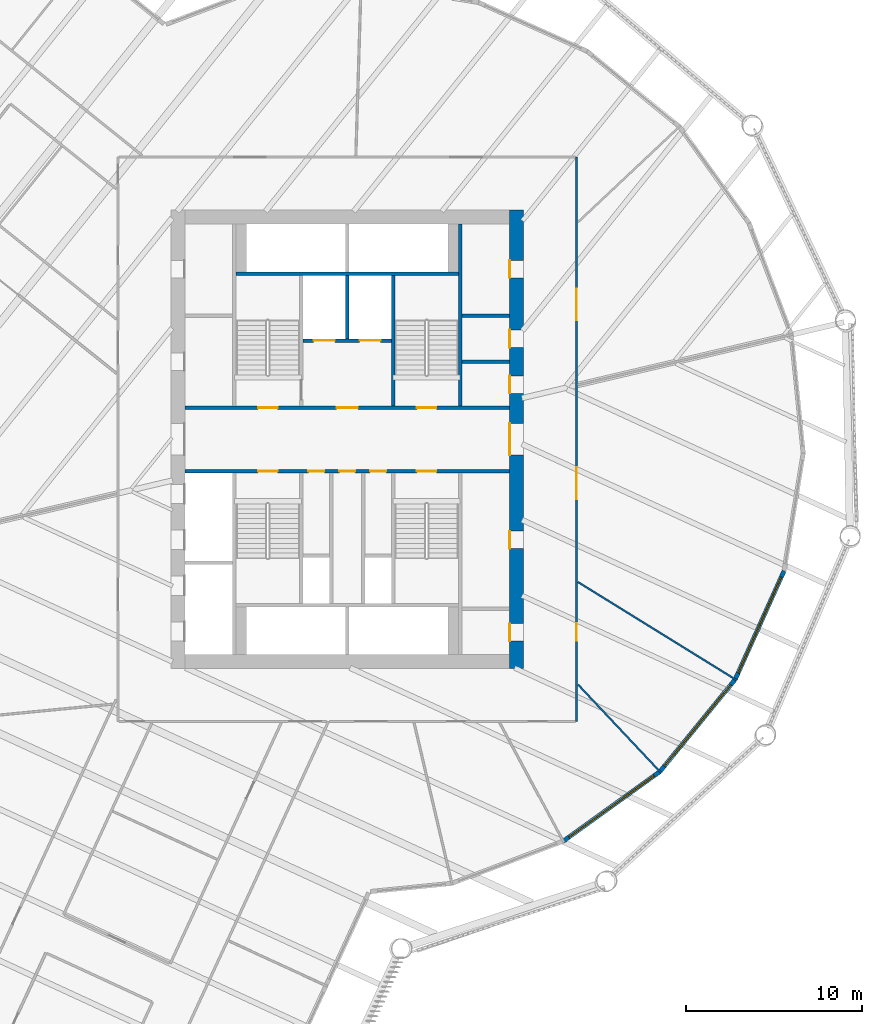
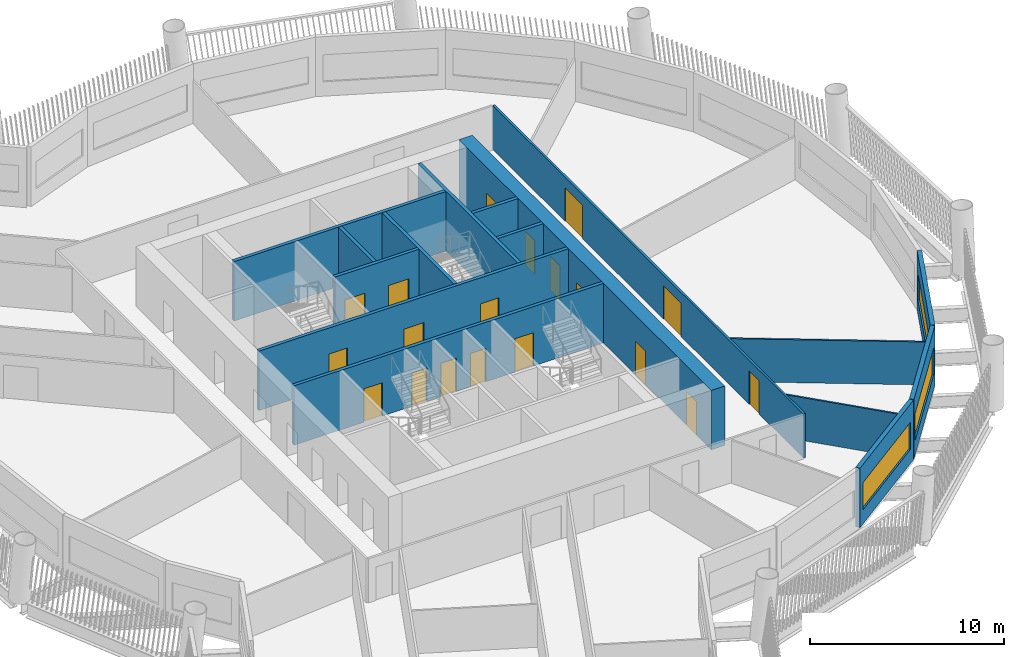
# One storey, part 5 of 16: 19 doors, 16 walls, 3 windows, 22 openings.
"""IFC4 building model written with IfcOpenShell, lengths in metres."""

from ifc_helpers import new_model, si_unit, direction, frame, frame_2d, origin, place, context, subcontext, project, spatial, rectangle, extrude, material, layer, layer_set, type_object, element, fill, save


model = new_model("IFC4")

# Units and contexts
model_context = context("Model", 3, precision=1e-05, world=origin(), true_north=direction((0.0, 1.0)))
body_context = subcontext(model_context, "Body", "Model", "MODEL_VIEW")
ifc_project = project(units=[si_unit("LENGTHUNIT", "METRE"), si_unit("AREAUNIT", "SQUARE_METRE"), si_unit("VOLUMEUNIT", "CUBIC_METRE"), si_unit("PLANEANGLEUNIT", "RADIAN"), si_unit("MASSUNIT", "GRAM", prefix="KILO")], contexts=[model_context])

# Site, building, storey
site_placement = place(None, origin())
site = spatial("IfcSite", under=ifc_project, at=site_placement, CompositionType="ELEMENT")
building_placement = place(site_placement, origin())
building = spatial("IfcBuilding", under=site, at=building_placement, Name="Tarsis Ring Headquarters", CompositionType="ELEMENT")
storey_placement = place(building_placement, frame((0.0, 0.0, 112.300048828125)))
storey = spatial("IfcBuildingStorey", under=building, at=storey_placement, Name="L25", CompositionType="ELEMENT", Elevation=112.300048828125)

# Walls
ifc_material_1 = material(Name="Blockwork", Category="masonry")
ifc_layer_1 = layer(ifc_material_1, 0.199951171875)
ifc_layer_set_1 = layer_set([ifc_layer_1], Name="Core blockwork wall 200")
wall_type_1 = type_object("IfcWallType", Name="Core blockwork wall 200", PredefinedType="PARTITIONING", material=ifc_layer_set_1)
for number, where, z_axis, x_axis, name in (
    (1, (6.5, 4.39990234375, 0.0), (0.0, 0.0, 1.0), (1.0, 0.0, 0.0), "Core partition ED5"),
    (2, (6.5, 7.0, 0.0), (0.0, 0.0, 1.0), (1.0, 0.0, 0.0), "Core partition ED6"),
):
    element("IfcWall", number, at=place(storey_placement, frame(where, z_axis=z_axis, x_axis=x_axis)), inside=storey, type_object=wall_type_1, Name=name, PredefinedType="PARTITIONING", context=body_context, shape_type="SweptSolid", body=[
        extrude(rectangle(XDim=2.699951171875, YDim=0.199951171875, at=frame_2d((1.35009765625, 0.0))), origin(), (0.0, 0.0, 1.0), 3.739990234375),
    ])

# Wall, openings, doors
ifc_material_2 = material(Name="Concrete C60/75", Category="concrete")
ifc_layer_2 = layer(ifc_material_2, 0.800048828125)
ifc_layer_set_2 = layer_set([ifc_layer_2], Name="Core wall 800 C60/75")
wall_type_2 = type_object("IfcWallType", Name="Core wall 800 C60/75", PredefinedType="SHEAR", material=ifc_layer_set_2)
wall_1_placement = place(storey_placement, frame((9.60009765625, -13.0, 0.0), z_axis=(0.0, 0.0, 1.0), x_axis=(0.0, 1.0, 0.0)))
wall_1 = element("IfcWall", 3, at=wall_1_placement, inside=storey, type_object=wall_type_2, Name="Core wall OE", PredefinedType="SHEAR", context=body_context, shape_type="SweptSolid", body=[
    extrude(rectangle(XDim=26.0, YDim=0.800048828125, at=frame_2d((13.0, 0.0))), origin(), (0.0, 0.0, 1.0), 3.739990234375),
])
opening_1_placement = place(wall_1_placement, frame((1.550048828125, 0.0, 0.0)))
opening_1 = element("IfcOpeningElement", 4, at=opening_1_placement, cuts=wall_1, Name="Opening L25-C08", PredefinedType="OPENING", context=body_context, shape_type="SweptSolid", body=[
    extrude(rectangle(XDim=1.0, YDim=2.10009765625, at=frame_2d((0.5, 1.050048828125))), frame((0.0, 0.409912109375, 0.0), z_axis=(0.0, -1.0, 0.0), x_axis=(1.0, 0.0, 0.0)), (0.0, 0.0, 1.0), 0.820068359375),
])
opening_2_placement = place(wall_1_placement, frame((6.800048828125, 0.0, 0.0)))
opening_2 = element("IfcOpeningElement", 5, at=opening_2_placement, cuts=wall_1, Name="Opening L25-C09", PredefinedType="OPENING", context=body_context, shape_type="SweptSolid", body=[
    extrude(rectangle(XDim=1.0, YDim=2.10009765625, at=frame_2d((0.5, 1.050048828125))), frame((0.0, 0.409912109375, 0.0), z_axis=(0.0, -1.0, 0.0), x_axis=(1.0, 0.0, 0.0)), (0.0, 0.0, 1.0), 0.820068359375),
])
opening_3_placement = place(wall_1_placement, frame((12.10009765625, 0.0, 0.0)))
opening_3 = element("IfcOpeningElement", 6, at=opening_3_placement, cuts=wall_1, Name="Opening L25-C10", PredefinedType="OPENING", context=body_context, shape_type="SweptSolid", body=[
    extrude(rectangle(XDim=1.800048828125, YDim=2.10009765625, at=frame_2d((0.89990234375, 1.050048828125))), frame((0.0, 0.409912109375, 0.0), z_axis=(0.0, -1.0, 0.0), x_axis=(1.0, 0.0, 0.0)), (0.0, 0.0, 1.0), 0.820068359375),
])
opening_4_placement = place(wall_1_placement, frame((15.60009765625, 0.0, 0.0)))
opening_4 = element("IfcOpeningElement", 7, at=opening_4_placement, cuts=wall_1, Name="Opening L25-C11", PredefinedType="OPENING", context=body_context, shape_type="SweptSolid", body=[
    extrude(rectangle(XDim=1.0, YDim=2.10009765625, at=frame_2d((0.5, 1.050048828125))), frame((0.0, 0.409912109375, 0.0), z_axis=(0.0, -1.0, 0.0), x_axis=(1.0, 0.0, 0.0)), (0.0, 0.0, 1.0), 0.820068359375),
])
opening_5_placement = place(wall_1_placement, frame((18.199951171875, 0.0, 0.0)))
opening_5 = element("IfcOpeningElement", 8, at=opening_5_placement, cuts=wall_1, Name="Opening L25-C12", PredefinedType="OPENING", context=body_context, shape_type="SweptSolid", body=[
    extrude(rectangle(XDim=1.0, YDim=2.10009765625, at=frame_2d((0.5, 1.050048828125))), frame((0.0, 0.409912109375, 0.0), z_axis=(0.0, -1.0, 0.0), x_axis=(1.0, 0.0, 0.0)), (0.0, 0.0, 1.0), 0.820068359375),
])
opening_6_placement = place(wall_1_placement, frame((22.14990234375, 0.0, 0.0)))
opening_6 = element("IfcOpeningElement", 9, at=opening_6_placement, cuts=wall_1, Name="Opening L25-C13", PredefinedType="OPENING", context=body_context, shape_type="SweptSolid", body=[
    extrude(rectangle(XDim=1.0, YDim=2.10009765625, at=frame_2d((0.5, 1.050048828125))), frame((0.0, 0.409912109375, 0.0), z_axis=(0.0, -1.0, 0.0), x_axis=(1.0, 0.0, 0.0)), (0.0, 0.0, 1.0), 0.820068359375),
])
ifc_material_3 = material(Name="Steel S355", Category="steel")
door_type_1 = type_object("IfcDoorType", Name="Core entry door 1800x2100", OperationType="DOUBLE_DOOR_SINGLE_SWING", PredefinedType="DOOR", material=ifc_material_3)
door_1_placement = place(opening_3_placement, origin())
door_1 = element("IfcDoor", 10, at=door_1_placement, inside=storey, type_object=door_type_1, Name="Core entry door L25", OperationType="DOUBLE_DOOR_SINGLE_SWING", OverallHeight=2.10009765625, OverallWidth=1.800048828125, PredefinedType="DOOR", context=body_context, shape_type="SweptSolid", body=[
    extrude(rectangle(XDim=1.800048828125, YDim=2.10009765625, at=frame_2d((0.89990234375, 1.050048828125))), frame((0.0, 0.39990234375, 0.0), z_axis=(0.0, -1.0, 0.0), x_axis=(1.0, 0.0, 0.0)), (0.0, 0.0, 1.0), 0.050048828125),
])
fill(opening_3, door_1)
door_type_2 = type_object("IfcDoorType", Name="Core room door 1000x2100", OperationType="SINGLE_SWING_LEFT", PredefinedType="DOOR", material=ifc_material_3)
door_2_placement = place(opening_1_placement, origin())
door_2 = element("IfcDoor", 11, at=door_2_placement, inside=storey, type_object=door_type_2, Name="Core room door L25", OperationType="SINGLE_SWING_LEFT", OverallHeight=2.10009765625, OverallWidth=1.0, PredefinedType="DOOR", context=body_context, shape_type="SweptSolid", body=[
    extrude(rectangle(XDim=1.0, YDim=2.10009765625, at=frame_2d((0.5, 1.050048828125))), frame((0.0, 0.39990234375, 0.0), z_axis=(0.0, -1.0, 0.0), x_axis=(1.0, 0.0, 0.0)), (0.0, 0.0, 1.0), 0.050048828125),
])
fill(opening_1, door_2)
door_3_placement = place(opening_2_placement, origin())
door_3 = element("IfcDoor", 12, at=door_3_placement, inside=storey, type_object=door_type_2, Name="Core room door L25", OperationType="SINGLE_SWING_LEFT", OverallHeight=2.10009765625, OverallWidth=1.0, PredefinedType="DOOR", context=body_context, shape_type="SweptSolid", body=[
    extrude(rectangle(XDim=1.0, YDim=2.10009765625, at=frame_2d((0.5, 1.050048828125))), frame((0.0, 0.39990234375, 0.0), z_axis=(0.0, -1.0, 0.0), x_axis=(1.0, 0.0, 0.0)), (0.0, 0.0, 1.0), 0.050048828125),
])
fill(opening_2, door_3)
door_4_placement = place(opening_4_placement, origin())
door_4 = element("IfcDoor", 13, at=door_4_placement, inside=storey, type_object=door_type_2, Name="Core room door L25", OperationType="SINGLE_SWING_LEFT", OverallHeight=2.10009765625, OverallWidth=1.0, PredefinedType="DOOR", context=body_context, shape_type="SweptSolid", body=[
    extrude(rectangle(XDim=1.0, YDim=2.10009765625, at=frame_2d((0.5, 1.050048828125))), frame((0.0, 0.39990234375, 0.0), z_axis=(0.0, -1.0, 0.0), x_axis=(1.0, 0.0, 0.0)), (0.0, 0.0, 1.0), 0.050048828125),
])
fill(opening_4, door_4)
door_5_placement = place(opening_5_placement, origin())
door_5 = element("IfcDoor", 14, at=door_5_placement, inside=storey, type_object=door_type_2, Name="Core room door L25", OperationType="SINGLE_SWING_LEFT", OverallHeight=2.10009765625, OverallWidth=1.0, PredefinedType="DOOR", context=body_context, shape_type="SweptSolid", body=[
    extrude(rectangle(XDim=1.0, YDim=2.10009765625, at=frame_2d((0.5, 1.050048828125))), frame((0.0, 0.39990234375, 0.0), z_axis=(0.0, -1.0, 0.0), x_axis=(1.0, 0.0, 0.0)), (0.0, 0.0, 1.0), 0.050048828125),
])
fill(opening_5, door_5)
door_6_placement = place(opening_6_placement, origin())
door_6 = element("IfcDoor", 15, at=door_6_placement, inside=storey, type_object=door_type_2, Name="Core room door L25", OperationType="SINGLE_SWING_LEFT", OverallHeight=2.10009765625, OverallWidth=1.0, PredefinedType="DOOR", context=body_context, shape_type="SweptSolid", body=[
    extrude(rectangle(XDim=1.0, YDim=2.10009765625, at=frame_2d((0.5, 1.050048828125))), frame((0.0, 0.39990234375, 0.0), z_axis=(0.0, -1.0, 0.0), x_axis=(1.0, 0.0, 0.0)), (0.0, 0.0, 1.0), 0.050048828125),
])
fill(opening_6, door_6)

# Walls
ifc_material_4 = material(Name="Gypsum board on steel studs", Category="steel")
ifc_layer_3 = layer(ifc_material_4, 0.10009765625)
ifc_layer_set_3 = layer_set([ifc_layer_3], Name="FL partition 100 unrated")
wall_type_3 = type_object("IfcWallType", Name="FL partition 100 unrated", PredefinedType="PARTITIONING", material=ifc_layer_set_3)
wall_2_placement = place(storey_placement, frame((13.076416015625, -8.0888671875, 0.0), z_axis=(0.0, 0.0, 1.0), x_axis=(0.850441291111, -0.526069967184, 0.0)))
element("IfcWall", 16, at=wall_2_placement, inside=storey, type_object=wall_type_3, Name="Partition PW3", PredefinedType="PARTITIONING", context=body_context, shape_type="SweptSolid", body=[
    extrude(rectangle(XDim=10.57177734375, YDim=0.10009765625, at=frame_2d((5.285888671875, 0.0))), origin(), (0.0, 0.0, 1.0), 2.699951171875),
])
wall_3_placement = place(storey_placement, frame((13.089111328125, -13.9091796875, 0.0), z_axis=(0.0, 0.0, 1.0), x_axis=(0.685301311237, -0.728259646566, 0.0)))
element("IfcWall", 17, at=wall_3_placement, inside=storey, type_object=wall_type_3, Name="Partition PW3", PredefinedType="PARTITIONING", context=body_context, shape_type="SweptSolid", body=[
    extrude(rectangle(XDim=6.84814453125, YDim=0.10009765625, at=frame_2d((3.424072265625, 0.0))), origin(), (0.0, 0.0, 1.0), 2.699951171875),
])

# Wall, openings, doors
ifc_layer_4 = layer(ifc_material_4, 0.125)
ifc_layer_set_4 = layer_set([ifc_layer_4], Name="FL partition 125 EI 60 H2770")
wall_type_4 = type_object("IfcWallType", Name="FL partition 125 EI 60 H2770", PredefinedType="PARTITIONING", material=ifc_layer_set_4)
wall_4_placement = place(storey_placement, frame((13.0, -16.0, 0.0), z_axis=(0.0, 0.0, 1.0), x_axis=(0.0, 1.0, 0.0)))
wall_4 = element("IfcWall", 18, at=wall_4_placement, inside=storey, type_object=wall_type_4, Name="Partition PW1", PredefinedType="PARTITIONING", context=body_context, shape_type="SweptSolid", body=[
    extrude(rectangle(XDim=32.0, YDim=0.125, at=frame_2d((16.0, 0.0))), origin(), (0.0, 0.0, 1.0), 2.77001953125),
])
opening_7_placement = place(wall_4_placement, frame((22.74853515625, 0.0, 0.0)))
opening_7 = element("IfcOpeningElement", 19, at=opening_7_placement, cuts=wall_4, Name="Opening D25.06", PredefinedType="OPENING", context=body_context, shape_type="SweptSolid", body=[
    extrude(rectangle(XDim=1.800048828125, YDim=2.10009765625, at=frame_2d((0.89990234375, 1.050048828125))), frame((0.0, 0.072509765625, 0.0), z_axis=(0.0, -1.0, 0.0), x_axis=(1.0, 0.0, 0.0)), (0.0, 0.0, 1.0), 0.14501953125),
])
opening_8_placement = place(wall_4_placement, frame((12.611083984375, 0.0, 0.0)))
opening_8 = element("IfcOpeningElement", 20, at=opening_8_placement, cuts=wall_4, Name="Opening D25.07", PredefinedType="OPENING", context=body_context, shape_type="SweptSolid", body=[
    extrude(rectangle(XDim=1.800048828125, YDim=2.10009765625, at=frame_2d((0.89990234375, 1.050048828125))), frame((0.0, 0.072509765625, 0.0), z_axis=(0.0, -1.0, 0.0), x_axis=(1.0, 0.0, 0.0)), (0.0, 0.0, 1.0), 0.14501953125),
])
opening_9_placement = place(wall_4_placement, frame((4.572021484375, 0.0, 0.0)))
opening_9 = element("IfcOpeningElement", 21, at=opening_9_placement, cuts=wall_4, Name="Opening D25.08", PredefinedType="OPENING", context=body_context, shape_type="SweptSolid", body=[
    extrude(rectangle(XDim=1.0, YDim=2.10009765625, at=frame_2d((0.5, 1.050048828125))), frame((0.0, 0.072509765625, 0.0), z_axis=(0.0, -1.0, 0.0), x_axis=(1.0, 0.0, 0.0)), (0.0, 0.0, 1.0), 0.14501953125),
])
ifc_material_5 = material(Name="Fire-rated timber door leaf in steel frame", Category="steel")
door_type_3 = type_object("IfcDoorType", Name="FL door FD60-1000", OperationType="NOTDEFINED", PredefinedType="DOOR", material=ifc_material_5)
door_7_placement = place(opening_9_placement, origin())
door_7 = element("IfcDoor", 22, at=door_7_placement, inside=storey, type_object=door_type_3, Name="Door D25.08", OperationType="SINGLE_SWING_LEFT", OverallHeight=2.10009765625, OverallWidth=1.0, PredefinedType="DOOR", context=body_context, shape_type="SweptSolid", body=[
    extrude(rectangle(XDim=1.0, YDim=2.10009765625, at=frame_2d((0.5, 1.050048828125))), frame((0.0, 0.02490234375, 0.0), z_axis=(0.0, -1.0, 0.0), x_axis=(1.0, 0.0, 0.0)), (0.0, 0.0, 1.0), 0.050048828125),
])
fill(opening_9, door_7)
door_type_4 = type_object("IfcDoorType", Name="FL door FD60-1800", OperationType="DOUBLE_DOOR_SINGLE_SWING", PredefinedType="DOOR", material=ifc_material_5)
door_8_placement = place(opening_7_placement, origin())
door_8 = element("IfcDoor", 23, at=door_8_placement, inside=storey, type_object=door_type_4, Name="Door D25.06", OperationType="DOUBLE_DOOR_SINGLE_SWING", OverallHeight=2.10009765625, OverallWidth=1.800048828125, PredefinedType="DOOR", context=body_context, shape_type="SweptSolid", body=[
    extrude(rectangle(XDim=1.800048828125, YDim=2.10009765625, at=frame_2d((0.89990234375, 1.050048828125))), frame((0.0, 0.02490234375, 0.0), z_axis=(0.0, -1.0, 0.0), x_axis=(1.0, 0.0, 0.0)), (0.0, 0.0, 1.0), 0.050048828125),
])
fill(opening_7, door_8)
door_9_placement = place(opening_8_placement, origin())
door_9 = element("IfcDoor", 24, at=door_9_placement, inside=storey, type_object=door_type_4, Name="Door D25.07", OperationType="DOUBLE_DOOR_SINGLE_SWING", OverallHeight=2.10009765625, OverallWidth=1.800048828125, PredefinedType="DOOR", context=body_context, shape_type="SweptSolid", body=[
    extrude(rectangle(XDim=1.800048828125, YDim=2.10009765625, at=frame_2d((0.89990234375, 1.050048828125))), frame((0.0, 0.02490234375, 0.0), z_axis=(0.0, -1.0, 0.0), x_axis=(1.0, 0.0, 0.0)), (0.0, 0.0, 1.0), 0.050048828125),
])
fill(opening_8, door_9)

# Wall, opening, window
ifc_material_6 = material(Name="Terracotta clad insulated panel wall", Category="masonry")
ifc_layer_5 = layer(ifc_material_6, 0.25)
ifc_layer_set_5 = layer_set([ifc_layer_5], Name="Facade wall terracotta panel 250")
wall_type_5 = type_object("IfcWallType", Name="Facade wall terracotta panel 250", PredefinedType="STANDARD", material=ifc_layer_set_5)
wall_5_placement = place(storey_placement, frame((12.263916015625, -22.7802734375, 0.0), z_axis=(0.0, 0.0, 1.0), x_axis=(0.811474399801, 0.584387969133, 0.0)))
wall_5 = element("IfcWall", 25, at=wall_5_placement, inside=storey, type_object=wall_type_5, Name="External wall L25-19", PredefinedType="STANDARD", context=body_context, shape_type="SweptSolid", body=[
    extrude(rectangle(XDim=6.721435546875, YDim=0.25, at=frame_2d((3.36083984375, 0.0))), origin(), (0.0, 0.0, 1.0), 3.739990234375),
])
opening_10_placement = place(wall_5_placement, frame((0.3857421875, 0.0, 0.89990234375)))
opening_10 = element("IfcOpeningElement", 26, at=opening_10_placement, cuts=wall_5, Name="Opening WN07", PredefinedType="OPENING", context=body_context, shape_type="SweptSolid", body=[
    extrude(rectangle(XDim=5.949951171875, YDim=1.699951171875, at=frame_2d((2.97509765625, 0.85009765625))), frame((0.0, 0.135009765625, 0.0), z_axis=(0.0, -1.0, 0.0), x_axis=(1.0, 0.0, 0.0)), (0.0, 0.0, 1.0), 0.27001953125),
])
ifc_material_7 = material(Name="Aluminium framed double glazing", Category="aluminium")
window_type = type_object("IfcWindowType", Name="Facade window 5950 x 1700", PartitioningType="SINGLE_PANEL", PredefinedType="WINDOW", material=ifc_material_7)
window_1_placement = place(opening_10_placement, origin())
window_1 = element("IfcWindow", 27, at=window_1_placement, inside=storey, type_object=window_type, Name="Window L25-19.1", OverallHeight=1.699951171875, OverallWidth=5.949951171875, PartitioningType="SINGLE_PANEL", PredefinedType="WINDOW", context=body_context, shape_type="SweptSolid", body=[
    extrude(rectangle(XDim=5.949951171875, YDim=1.699951171875, at=frame_2d((2.97509765625, 0.85009765625))), frame((0.0, 0.030029296875, 0.0), z_axis=(0.0, -1.0, 0.0), x_axis=(1.0, 0.0, 0.0)), (0.0, 0.0, 1.0), 0.06005859375),
])
fill(opening_10, window_1)

wall_6_placement = place(storey_placement, frame((17.7421875, -18.830078125, 0.0), z_axis=(0.0, 0.0, 1.0), x_axis=(0.63254328659, 0.774525009661, 0.0)))
wall_6 = element("IfcWall", 28, at=wall_6_placement, inside=storey, type_object=wall_type_5, Name="External wall L25-20", PredefinedType="STANDARD", context=body_context, shape_type="SweptSolid", body=[
    extrude(rectangle(XDim=6.7216796875, YDim=0.25, at=frame_2d((3.36083984375, 0.0))), origin(), (0.0, 0.0, 1.0), 3.739990234375),
])
opening_11_placement = place(wall_6_placement, frame((0.3857421875, 0.0, 0.89990234375)))
opening_11 = element("IfcOpeningElement", 29, at=opening_11_placement, cuts=wall_6, Name="Opening WN07", PredefinedType="OPENING", context=body_context, shape_type="SweptSolid", body=[
    extrude(rectangle(XDim=5.949951171875, YDim=1.699951171875, at=frame_2d((2.97509765625, 0.85009765625))), frame((0.0, 0.135009765625, 0.0), z_axis=(0.0, -1.0, 0.0), x_axis=(1.0, 0.0, 0.0)), (0.0, 0.0, 1.0), 0.27001953125),
])
window_2_placement = place(opening_11_placement, origin())
window_2 = element("IfcWindow", 30, at=window_2_placement, inside=storey, type_object=window_type, Name="Window L25-20.1", OverallHeight=1.699951171875, OverallWidth=5.949951171875, PartitioningType="SINGLE_PANEL", PredefinedType="WINDOW", context=body_context, shape_type="SweptSolid", body=[
    extrude(rectangle(XDim=5.949951171875, YDim=1.699951171875, at=frame_2d((2.97509765625, 0.85009765625))), frame((0.0, 0.030029296875, 0.0), z_axis=(0.0, -1.0, 0.0), x_axis=(1.0, 0.0, 0.0)), (0.0, 0.0, 1.0), 0.06005859375),
])
fill(opening_11, window_2)

wall_7_placement = place(storey_placement, frame((22.010986328125, -13.596435546875, 0.0), z_axis=(0.0, 0.0, 1.0), x_axis=(0.410582143654, 0.911823614145, 0.0)))
wall_7 = element("IfcWall", 31, at=wall_7_placement, inside=storey, type_object=wall_type_5, Name="External wall L25-21", PredefinedType="STANDARD", context=body_context, shape_type="SweptSolid", body=[
    extrude(rectangle(XDim=6.7216796875, YDim=0.25, at=frame_2d((3.36083984375, 0.0))), origin(), (0.0, 0.0, 1.0), 3.739990234375),
])
opening_12_placement = place(wall_7_placement, frame((0.3857421875, 0.0, 0.89990234375)))
opening_12 = element("IfcOpeningElement", 32, at=opening_12_placement, cuts=wall_7, Name="Opening WN07", PredefinedType="OPENING", context=body_context, shape_type="SweptSolid", body=[
    extrude(rectangle(XDim=5.949951171875, YDim=1.699951171875, at=frame_2d((2.97509765625, 0.85009765625))), frame((0.0, 0.135009765625, 0.0), z_axis=(0.0, -1.0, 0.0), x_axis=(1.0, 0.0, 0.0)), (0.0, 0.0, 1.0), 0.27001953125),
])
window_3_placement = place(opening_12_placement, origin())
window_3 = element("IfcWindow", 33, at=window_3_placement, inside=storey, type_object=window_type, Name="Window L25-21.1", OverallHeight=1.699951171875, OverallWidth=5.949951171875, PartitioningType="SINGLE_PANEL", PredefinedType="WINDOW", context=body_context, shape_type="SweptSolid", body=[
    extrude(rectangle(XDim=5.949951171875, YDim=1.699951171875, at=frame_2d((2.97509765625, 0.85009765625))), frame((0.0, 0.030029296875, 0.0), z_axis=(0.0, -1.0, 0.0), x_axis=(1.0, 0.0, 0.0)), (0.0, 0.0, 1.0), 0.06005859375),
])
fill(opening_12, window_3)

# Wall, openings, doors
ifc_material_8 = material(Name="Concrete C32/40", Category="concrete")
ifc_layer_6 = layer(ifc_material_8, 0.199951171875)
ifc_layer_set_6 = layer_set([ifc_layer_6], Name="Shaft wall 200 C32/40")
wall_type_6 = type_object("IfcWallType", Name="Shaft wall 200 C32/40", PredefinedType="SOLIDWALL", material=ifc_layer_set_6)
wall_8_placement = place(storey_placement, frame((-9.199951171875, 1.800048828125, 0.0), z_axis=(0.0, 0.0, 1.0), x_axis=(1.0, 0.0, 0.0)))
wall_8 = element("IfcWall", 34, at=wall_8_placement, inside=storey, type_object=wall_type_6, Name="Core shaft wall CN", PredefinedType="SOLIDWALL", context=body_context, shape_type="SweptSolid", body=[
    extrude(rectangle(XDim=18.39990234375, YDim=0.199951171875, at=frame_2d((9.199951171875, 0.0))), origin(), (0.0, 0.0, 1.0), 3.739990234375),
])
opening_13_placement = place(wall_8_placement, frame((4.14990234375, 0.0, 0.0)))
opening_13 = element("IfcOpeningElement", 35, at=opening_13_placement, cuts=wall_8, Name="Opening L25-C14", PredefinedType="OPENING", context=body_context, shape_type="SweptSolid", body=[
    extrude(rectangle(XDim=1.10009765625, YDim=2.10009765625, at=frame_2d((0.550048828125, 1.050048828125))), frame((0.0, 0.10986328125, 0.0), z_axis=(0.0, -1.0, 0.0), x_axis=(1.0, 0.0, 0.0)), (0.0, 0.0, 1.0), 0.219970703125),
])
opening_14_placement = place(wall_8_placement, frame((8.60009765625, 0.0, 0.0)))
opening_14 = element("IfcOpeningElement", 36, at=opening_14_placement, cuts=wall_8, Name="Opening L25-C15", PredefinedType="OPENING", context=body_context, shape_type="SweptSolid", body=[
    extrude(rectangle(XDim=1.199951171875, YDim=2.10009765625, at=frame_2d((0.60009765625, 1.050048828125))), frame((0.0, 0.10986328125, 0.0), z_axis=(0.0, -1.0, 0.0), x_axis=(1.0, 0.0, 0.0)), (0.0, 0.0, 1.0), 0.219970703125),
])
opening_15_placement = place(wall_8_placement, frame((13.14990234375, 0.0, 0.0)))
opening_15 = element("IfcOpeningElement", 37, at=opening_15_placement, cuts=wall_8, Name="Opening L25-C16", PredefinedType="OPENING", context=body_context, shape_type="SweptSolid", body=[
    extrude(rectangle(XDim=1.10009765625, YDim=2.10009765625, at=frame_2d((0.550048828125, 1.050048828125))), frame((0.0, 0.10986328125, 0.0), z_axis=(0.0, -1.0, 0.0), x_axis=(1.0, 0.0, 0.0)), (0.0, 0.0, 1.0), 0.219970703125),
])
door_type_5 = type_object("IfcDoorType", Name="Firefighting lobby door 1200x2100", OperationType="DOUBLE_DOOR_SINGLE_SWING", PredefinedType="DOOR", material=ifc_material_3)
door_10_placement = place(opening_14_placement, origin())
door_10 = element("IfcDoor", 38, at=door_10_placement, inside=storey, type_object=door_type_5, Name="Firefighting lobby door L25", OperationType="DOUBLE_DOOR_SINGLE_SWING", OverallHeight=2.10009765625, OverallWidth=1.199951171875, PredefinedType="DOOR", context=body_context, shape_type="SweptSolid", body=[
    extrude(rectangle(XDim=1.199951171875, YDim=2.10009765625, at=frame_2d((0.60009765625, 1.050048828125))), frame((0.0, 0.02490234375, 0.0), z_axis=(0.0, -1.0, 0.0), x_axis=(1.0, 0.0, 0.0)), (0.0, 0.0, 1.0), 0.050048828125),
])
fill(opening_14, door_10)
door_type_6 = type_object("IfcDoorType", Name="Stair door 1100x2100", OperationType="SINGLE_SWING_LEFT", PredefinedType="DOOR", material=ifc_material_3)
door_11_placement = place(opening_13_placement, origin())
door_11 = element("IfcDoor", 39, at=door_11_placement, inside=storey, type_object=door_type_6, Name="Stair door L25", OperationType="SINGLE_SWING_LEFT", OverallHeight=2.10009765625, OverallWidth=1.10009765625, PredefinedType="DOOR", context=body_context, shape_type="SweptSolid", body=[
    extrude(rectangle(XDim=1.10009765625, YDim=2.10009765625, at=frame_2d((0.550048828125, 1.050048828125))), frame((0.0, 0.02490234375, 0.0), z_axis=(0.0, -1.0, 0.0), x_axis=(1.0, 0.0, 0.0)), (0.0, 0.0, 1.0), 0.050048828125),
])
fill(opening_13, door_11)
door_12_placement = place(opening_15_placement, origin())
door_12 = element("IfcDoor", 40, at=door_12_placement, inside=storey, type_object=door_type_6, Name="Stair door L25", OperationType="SINGLE_SWING_LEFT", OverallHeight=2.10009765625, OverallWidth=1.10009765625, PredefinedType="DOOR", context=body_context, shape_type="SweptSolid", body=[
    extrude(rectangle(XDim=1.10009765625, YDim=2.10009765625, at=frame_2d((0.550048828125, 1.050048828125))), frame((0.0, 0.02490234375, 0.0), z_axis=(0.0, -1.0, 0.0), x_axis=(1.0, 0.0, 0.0)), (0.0, 0.0, 1.0), 0.050048828125),
])
fill(opening_15, door_12)

wall_9_placement = place(storey_placement, frame((-9.199951171875, -1.800048828125, 0.0), z_axis=(0.0, 0.0, 1.0), x_axis=(1.0, 0.0, 0.0)))
wall_9 = element("IfcWall", 41, at=wall_9_placement, inside=storey, type_object=wall_type_6, Name="Core shaft wall CS", PredefinedType="SOLIDWALL", context=body_context, shape_type="SweptSolid", body=[
    extrude(rectangle(XDim=18.39990234375, YDim=0.199951171875, at=frame_2d((9.199951171875, 0.0))), origin(), (0.0, 0.0, 1.0), 3.739990234375),
])
opening_16_placement = place(wall_9_placement, frame((4.14990234375, 0.0, 0.0)))
opening_16 = element("IfcOpeningElement", 42, at=opening_16_placement, cuts=wall_9, Name="Opening L25-C17", PredefinedType="OPENING", context=body_context, shape_type="SweptSolid", body=[
    extrude(rectangle(XDim=1.10009765625, YDim=2.10009765625, at=frame_2d((0.550048828125, 1.050048828125))), frame((0.0, 0.10986328125, 0.0), z_axis=(0.0, -1.0, 0.0), x_axis=(1.0, 0.0, 0.0)), (0.0, 0.0, 1.0), 0.219970703125),
])
opening_17_placement = place(wall_9_placement, frame((7.0, 0.0, 0.0)))
opening_17 = element("IfcOpeningElement", 43, at=opening_17_placement, cuts=wall_9, Name="Opening L25-C18", PredefinedType="OPENING", context=body_context, shape_type="SweptSolid", body=[
    extrude(rectangle(XDim=0.89990234375, YDim=2.10009765625, at=frame_2d((0.449951171875, 1.050048828125))), frame((0.0, 0.10986328125, 0.0), z_axis=(0.0, -1.0, 0.0), x_axis=(1.0, 0.0, 0.0)), (0.0, 0.0, 1.0), 0.219970703125),
])
opening_18_placement = place(wall_9_placement, frame((8.75, 0.0, 0.0)))
opening_18 = element("IfcOpeningElement", 44, at=opening_18_placement, cuts=wall_9, Name="Opening L25-C19", PredefinedType="OPENING", context=body_context, shape_type="SweptSolid", body=[
    extrude(rectangle(XDim=0.89990234375, YDim=2.10009765625, at=frame_2d((0.449951171875, 1.050048828125))), frame((0.0, 0.10986328125, 0.0), z_axis=(0.0, -1.0, 0.0), x_axis=(1.0, 0.0, 0.0)), (0.0, 0.0, 1.0), 0.219970703125),
])
opening_19_placement = place(wall_9_placement, frame((10.5, 0.0, 0.0)))
opening_19 = element("IfcOpeningElement", 45, at=opening_19_placement, cuts=wall_9, Name="Opening L25-C20", PredefinedType="OPENING", context=body_context, shape_type="SweptSolid", body=[
    extrude(rectangle(XDim=0.89990234375, YDim=2.10009765625, at=frame_2d((0.449951171875, 1.050048828125))), frame((0.0, 0.10986328125, 0.0), z_axis=(0.0, -1.0, 0.0), x_axis=(1.0, 0.0, 0.0)), (0.0, 0.0, 1.0), 0.219970703125),
])
opening_20_placement = place(wall_9_placement, frame((13.14990234375, 0.0, 0.0)))
opening_20 = element("IfcOpeningElement", 46, at=opening_20_placement, cuts=wall_9, Name="Opening L25-C21", PredefinedType="OPENING", context=body_context, shape_type="SweptSolid", body=[
    extrude(rectangle(XDim=1.10009765625, YDim=2.10009765625, at=frame_2d((0.550048828125, 1.050048828125))), frame((0.0, 0.10986328125, 0.0), z_axis=(0.0, -1.0, 0.0), x_axis=(1.0, 0.0, 0.0)), (0.0, 0.0, 1.0), 0.219970703125),
])
door_13_placement = place(opening_16_placement, origin())
door_13 = element("IfcDoor", 47, at=door_13_placement, inside=storey, type_object=door_type_6, Name="Stair door L25", OperationType="SINGLE_SWING_LEFT", OverallHeight=2.10009765625, OverallWidth=1.10009765625, PredefinedType="DOOR", context=body_context, shape_type="SweptSolid", body=[
    extrude(rectangle(XDim=1.10009765625, YDim=2.10009765625, at=frame_2d((0.550048828125, 1.050048828125))), frame((0.0, 0.02490234375, 0.0), z_axis=(0.0, -1.0, 0.0), x_axis=(1.0, 0.0, 0.0)), (0.0, 0.0, 1.0), 0.050048828125),
])
fill(opening_16, door_13)
door_14_placement = place(opening_20_placement, origin())
door_14 = element("IfcDoor", 48, at=door_14_placement, inside=storey, type_object=door_type_6, Name="Stair door L25", OperationType="SINGLE_SWING_LEFT", OverallHeight=2.10009765625, OverallWidth=1.10009765625, PredefinedType="DOOR", context=body_context, shape_type="SweptSolid", body=[
    extrude(rectangle(XDim=1.10009765625, YDim=2.10009765625, at=frame_2d((0.550048828125, 1.050048828125))), frame((0.0, 0.02490234375, 0.0), z_axis=(0.0, -1.0, 0.0), x_axis=(1.0, 0.0, 0.0)), (0.0, 0.0, 1.0), 0.050048828125),
])
fill(opening_20, door_14)
door_type_7 = type_object("IfcDoorType", Name="WC door 900x2100", OperationType="SINGLE_SWING_LEFT", PredefinedType="DOOR", material=ifc_material_3)
door_15_placement = place(opening_17_placement, origin())
door_15 = element("IfcDoor", 49, at=door_15_placement, inside=storey, type_object=door_type_7, Name="WC door L25", OperationType="SINGLE_SWING_LEFT", OverallHeight=2.10009765625, OverallWidth=0.89990234375, PredefinedType="DOOR", context=body_context, shape_type="SweptSolid", body=[
    extrude(rectangle(XDim=0.89990234375, YDim=2.10009765625, at=frame_2d((0.449951171875, 1.050048828125))), frame((0.0, 0.02490234375, 0.0), z_axis=(0.0, -1.0, 0.0), x_axis=(1.0, 0.0, 0.0)), (0.0, 0.0, 1.0), 0.050048828125),
])
fill(opening_17, door_15)
door_16_placement = place(opening_18_placement, origin())
door_16 = element("IfcDoor", 50, at=door_16_placement, inside=storey, type_object=door_type_7, Name="WC door L25", OperationType="SINGLE_SWING_LEFT", OverallHeight=2.10009765625, OverallWidth=0.89990234375, PredefinedType="DOOR", context=body_context, shape_type="SweptSolid", body=[
    extrude(rectangle(XDim=0.89990234375, YDim=2.10009765625, at=frame_2d((0.449951171875, 1.050048828125))), frame((0.0, 0.02490234375, 0.0), z_axis=(0.0, -1.0, 0.0), x_axis=(1.0, 0.0, 0.0)), (0.0, 0.0, 1.0), 0.050048828125),
])
fill(opening_18, door_16)
door_17_placement = place(opening_19_placement, origin())
door_17 = element("IfcDoor", 51, at=door_17_placement, inside=storey, type_object=door_type_7, Name="WC door L25", OperationType="SINGLE_SWING_LEFT", OverallHeight=2.10009765625, OverallWidth=0.89990234375, PredefinedType="DOOR", context=body_context, shape_type="SweptSolid", body=[
    extrude(rectangle(XDim=0.89990234375, YDim=2.10009765625, at=frame_2d((0.449951171875, 1.050048828125))), frame((0.0, 0.02490234375, 0.0), z_axis=(0.0, -1.0, 0.0), x_axis=(1.0, 0.0, 0.0)), (0.0, 0.0, 1.0), 0.050048828125),
])
fill(opening_19, door_17)

# Walls
wall_10_placement = place(storey_placement, frame((6.39990234375, 1.89990234375, 0.0), z_axis=(0.0, 0.0, 1.0), x_axis=(0.0, 1.0, 0.0)))
element("IfcWall", 52, at=wall_10_placement, inside=storey, type_object=wall_type_6, Name="Core shaft wall EB2", PredefinedType="SOLIDWALL", context=body_context, shape_type="SweptSolid", body=[
    extrude(rectangle(XDim=10.300048828125, YDim=0.199951171875, at=frame_2d((5.14990234375, 0.0))), origin(), (0.0, 0.0, 1.0), 3.739990234375),
])
wall_11_placement = place(storey_placement, frame((-6.300048828125, 9.39990234375, 0.0), z_axis=(0.0, 0.0, 1.0), x_axis=(1.0, 0.0, 0.0)))
element("IfcWall", 53, at=wall_11_placement, inside=storey, type_object=wall_type_6, Name="Core shaft wall NB", PredefinedType="SOLIDWALL", context=body_context, shape_type="SweptSolid", body=[
    extrude(rectangle(XDim=12.60009765625, YDim=0.199951171875, at=frame_2d((6.300048828125, 0.0))), origin(), (0.0, 0.0, 1.0), 3.739990234375),
])
wall_12_placement = place(storey_placement, frame((2.60009765625, 1.89990234375, 0.0), z_axis=(0.0, 0.0, 1.0), x_axis=(0.0, 1.0, 0.0)))
element("IfcWall", 54, at=wall_12_placement, inside=storey, type_object=wall_type_6, Name="Core shaft wall SW2", PredefinedType="SOLIDWALL", context=body_context, shape_type="SweptSolid", body=[
    extrude(rectangle(XDim=7.400146484375, YDim=0.199951171875, at=frame_2d((3.7001953125, 0.0))), origin(), (0.0, 0.0, 1.0), 3.739990234375),
])

# Wall, openings, doors
wall_13_placement = place(storey_placement, frame((-2.5, 5.60009765625, 0.0), z_axis=(0.0, 0.0, 1.0), x_axis=(1.0, 0.0, 0.0)))
wall_13 = element("IfcWall", 55, at=wall_13_placement, inside=storey, type_object=wall_type_6, Name="Core shaft wall FFN", PredefinedType="SOLIDWALL", context=body_context, shape_type="SweptSolid", body=[
    extrude(rectangle(XDim=5.0, YDim=0.199951171875, at=frame_2d((2.5, 0.0))), origin(), (0.0, 0.0, 1.0), 3.739990234375),
])
opening_21_placement = place(wall_13_placement, frame((0.60009765625, 0.0, 0.0)))
opening_21 = element("IfcOpeningElement", 56, at=opening_21_placement, cuts=wall_13, Name="Opening LDF-1", PredefinedType="OPENING", context=body_context, shape_type="SweptSolid", body=[
    extrude(rectangle(XDim=1.199951171875, YDim=2.10009765625, at=frame_2d((0.60009765625, 1.050048828125))), frame((0.0, 0.10986328125, 0.0), z_axis=(0.0, -1.0, 0.0), x_axis=(1.0, 0.0, 0.0)), (0.0, 0.0, 1.0), 0.219970703125),
])
opening_22_placement = place(wall_13_placement, frame((3.199951171875, 0.0, 0.0)))
opening_22 = element("IfcOpeningElement", 57, at=opening_22_placement, cuts=wall_13, Name="Opening LDF-2", PredefinedType="OPENING", context=body_context, shape_type="SweptSolid", body=[
    extrude(rectangle(XDim=1.199951171875, YDim=2.10009765625, at=frame_2d((0.60009765625, 1.050048828125))), frame((0.0, 0.10986328125, 0.0), z_axis=(0.0, -1.0, 0.0), x_axis=(1.0, 0.0, 0.0)), (0.0, 0.0, 1.0), 0.219970703125),
])
door_type_8 = type_object("IfcDoorType", Name="Firefighting landing door 1200x2100", OperationType="SLIDING_TO_LEFT", PredefinedType="DOOR", material=ifc_material_3)
door_18_placement = place(opening_21_placement, origin())
door_18 = element("IfcDoor", 58, at=door_18_placement, inside=storey, type_object=door_type_8, Name="Landing door FF1 L25", OperationType="SLIDING_TO_LEFT", OverallHeight=2.10009765625, OverallWidth=1.199951171875, PredefinedType="DOOR", context=body_context, shape_type="SweptSolid", body=[
    extrude(rectangle(XDim=1.199951171875, YDim=2.10009765625, at=frame_2d((0.60009765625, 1.050048828125))), frame((0.0, 0.02490234375, 0.0), z_axis=(0.0, -1.0, 0.0), x_axis=(1.0, 0.0, 0.0)), (0.0, 0.0, 1.0), 0.050048828125),
])
fill(opening_21, door_18)
door_19_placement = place(opening_22_placement, origin())
door_19 = element("IfcDoor", 59, at=door_19_placement, inside=storey, type_object=door_type_8, Name="Landing door FF2 L25", OperationType="SLIDING_TO_LEFT", OverallHeight=2.10009765625, OverallWidth=1.199951171875, PredefinedType="DOOR", context=body_context, shape_type="SweptSolid", body=[
    extrude(rectangle(XDim=1.199951171875, YDim=2.10009765625, at=frame_2d((0.60009765625, 1.050048828125))), frame((0.0, 0.02490234375, 0.0), z_axis=(0.0, -1.0, 0.0), x_axis=(1.0, 0.0, 0.0)), (0.0, 0.0, 1.0), 0.050048828125),
])
fill(opening_22, door_19)

# Wall
wall_14_placement = place(storey_placement, frame((0.0, 5.699951171875, 0.0), z_axis=(0.0, 0.0, 1.0), x_axis=(0.0, 1.0, 0.0)))
element("IfcWall", 60, at=wall_14_placement, inside=storey, type_object=wall_type_6, Name="Core shaft wall FFD", PredefinedType="SOLIDWALL", context=body_context, shape_type="SweptSolid", body=[
    extrude(rectangle(XDim=3.60009765625, YDim=0.199951171875, at=frame_2d((1.800048828125, 0.0))), origin(), (0.0, 0.0, 1.0), 3.739990234375),
])

save(model, "model.ifc")
